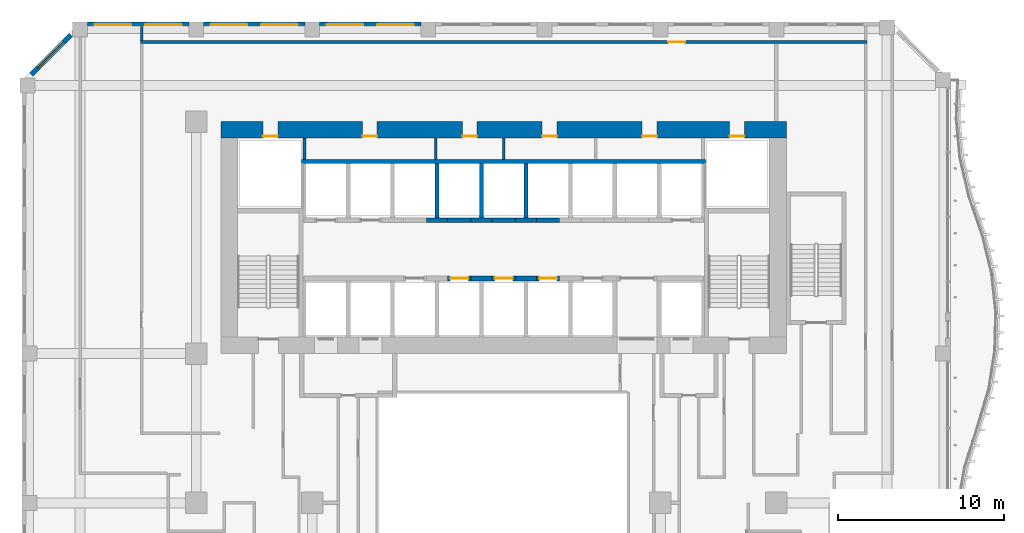
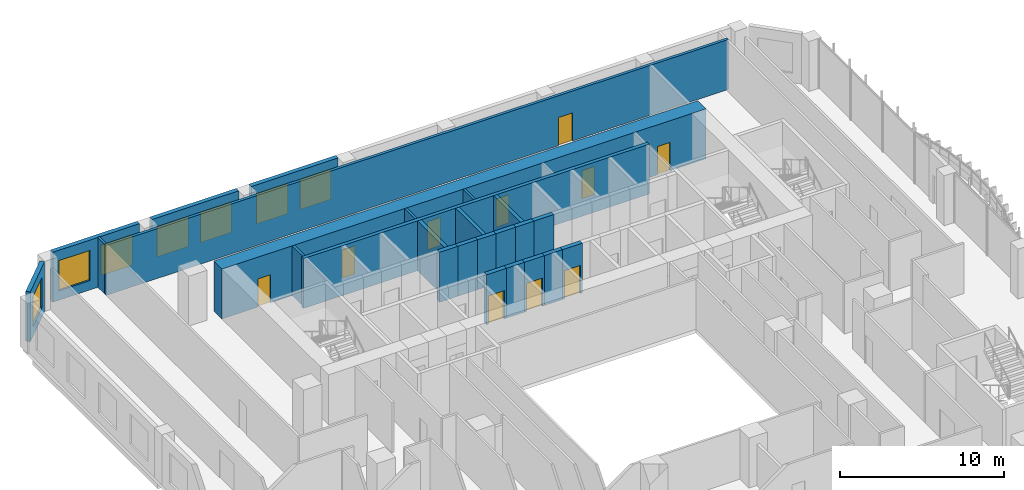
# One storey, part 15 of 27: 25 walls, 10 doors, 7 windows, 17 openings.
"""IFC4 building model written with IfcOpenShell, lengths in metres."""

from ifc_helpers import new_model, si_unit, direction, frame, frame_2d, origin, place, context, subcontext, project, spatial, rectangle, extrude, source, transform, mapped, material, layer, layer_set, type_object, element, fill, save


model = new_model("IFC4")

# Units and contexts
model_context = context("Model", 3, precision=1e-05, world=origin(), true_north=direction((0.0, 1.0)))
body_context = subcontext(model_context, "Body", "Model", "MODEL_VIEW")
ifc_project = project(units=[si_unit("LENGTHUNIT", "METRE"), si_unit("AREAUNIT", "SQUARE_METRE"), si_unit("VOLUMEUNIT", "CUBIC_METRE"), si_unit("PLANEANGLEUNIT", "RADIAN"), si_unit("MASSUNIT", "GRAM", prefix="KILO")], contexts=[model_context])

# Site, building, storey
site_placement = place(None, origin())
site = spatial("IfcSite", under=ifc_project, at=site_placement, CompositionType="ELEMENT")
building_placement = place(site_placement, origin())
building = spatial("IfcBuilding", under=site, at=building_placement, Name="Kilnfold Tower and Market Hall", CompositionType="ELEMENT")
storey_placement = place(building_placement, frame((0.0, 0.0, 43.0)))
storey = spatial("IfcBuildingStorey", under=building, at=storey_placement, Name="L09", CompositionType="ELEMENT", Elevation=43.0)

# Wall
ifc_material_1 = material(Name="Gypsum board on steel studs", Category="steel")
ifc_layer_1 = layer(ifc_material_1, 0.14990234375)
ifc_layer_set_1 = layer_set([ifc_layer_1], Name="Gypsum board on steel studs")
wall_type_1 = type_object("IfcWallType", Name="WALL CORRIDOR 150", PredefinedType="PARTITIONING", material=ifc_layer_set_1)
wall_1_placement = place(storey_placement, frame((-20.800048828125, 26.89111328125, 0.0), z_axis=(0.0, 0.0, 1.0), x_axis=(0.0, 1.0, 0.0)))
element("IfcWall", 1, at=wall_1_placement, inside=storey, type_object=wall_type_1, Name="Partition LY08.53", PredefinedType="PARTITIONING", context=body_context, shape_type="SweptSolid", body=[
    extrude(rectangle(XDim=0.85888671875, YDim=0.14990234375, at=frame_2d((0.429443359375, 0.0))), origin(), (0.0, 0.0, 1.0), 3.719970703125),
])

# Wall, opening, door
ifc_material_2 = material(Name="Gypsum board on steel studs", Category="steel")
ifc_layer_2 = layer(ifc_material_2, 0.199951171875)
ifc_layer_set_2 = layer_set([ifc_layer_2], Name="Gypsum board on steel studs")
wall_type_2 = type_object("IfcWallType", Name="WALL PARTY 200", PredefinedType="PARTITIONING", material=ifc_layer_set_2)
wall_2_placement = place(storey_placement, frame((-20.8740234375, 26.800048828125, 0.0), z_axis=(0.0, 0.0, 1.0), x_axis=(1.0, 0.0, 0.0)))
wall_2 = element("IfcWall", 2, at=wall_2_placement, inside=storey, type_object=wall_type_2, Name="Partition LY08.56", PredefinedType="PARTITIONING", context=body_context, shape_type="SweptSolid", body=[
    extrude(rectangle(XDim=43.84814453125, YDim=0.199951171875, at=frame_2d((21.924072265625, 0.0))), origin(), (0.0, 0.0, 1.0), 3.719970703125),
])
opening_1_placement = place(wall_2_placement, frame((31.863037109375, 0.0, 0.0)))
opening_1 = element("IfcOpeningElement", 3, at=opening_1_placement, cuts=wall_2, Name="Opening D1", PredefinedType="OPENING", context=body_context, shape_type="SweptSolid", body=[
    extrude(rectangle(XDim=1.0, YDim=2.10009765625, at=frame_2d((0.5, 1.050048828125))), frame((0.0, 0.10986328125, 0.0), z_axis=(0.0, -1.0, 0.0), x_axis=(1.0, 0.0, 0.0)), (0.0, 0.0, 1.0), 0.219970703125),
])
ifc_material_3 = material(Name="Timber veneer door leaf in steel frame", Category="steel")
door_type_1 = type_object("IfcDoorType", Name="DOOR ENTRY 1000 X2100", OperationType="NOTDEFINED", PredefinedType="DOOR", material=ifc_material_3)
door_1_placement = place(opening_1_placement, origin())
door_1 = element("IfcDoor", 4, at=door_1_placement, inside=storey, type_object=door_type_1, Name="Door D1", OperationType="SINGLE_SWING_RIGHT", OverallHeight=2.10009765625, OverallWidth=1.0, PredefinedType="DOOR", context=body_context, shape_type="SweptSolid", body=[
    extrude(rectangle(XDim=1.0, YDim=2.10009765625, at=frame_2d((0.5, 1.050048828125))), frame((0.0, 0.02490234375, 0.0), z_axis=(0.0, -1.0, 0.0), x_axis=(1.0, 0.0, 0.0)), (0.0, 0.0, 1.0), 0.050048828125),
])
fill(opening_1, door_1)

# Wall, openings, doors
ifc_material_4 = material(Name="Concrete C80", Category="concrete")
ifc_layer_3 = layer(ifc_material_4, 1.0)
ifc_layer_set_3 = layer_set([ifc_layer_3], Name="Concrete C80")
wall_type_3 = type_object("IfcWallType", Name="CORE WALL 1000 C80", PredefinedType="SHEAR", material=ifc_layer_set_3)
shared_shape_1 = source(origin(), body_context, "Body", "SweptSolid", [
    extrude(rectangle(XDim=34.10009765625, YDim=1.0, at=frame_2d((17.050048828125, 0.0))), origin(), (0.0, 0.0, 1.0), 3.719970703125),
])
wall_3_placement = place(storey_placement, frame((-16.0, 21.5, 0.0), z_axis=(0.0, 0.0, 1.0), x_axis=(1.0, 0.0, 0.0)))
wall_3 = element("IfcWall", 5, at=wall_3_placement, inside=storey, type_object=wall_type_3, Name="Core outer wall north", PredefinedType="SHEAR", context=body_context, shape_type="MappedRepresentation", body=[
    mapped(shared_shape_1, transform((0.0, 0.0, 0.0))),
])
opening_2_placement = place(wall_3_placement, frame((8.519775390625, 0.0, 0.0)))
opening_2 = element("IfcOpeningElement", 6, at=opening_2_placement, cuts=wall_3, Name="Opening KD1", PredefinedType="OPENING", context=body_context, shape_type="SweptSolid", body=[
    extrude(rectangle(XDim=0.89990234375, YDim=2.10009765625, at=frame_2d((0.449951171875, 1.050048828125))), frame((0.0, 0.510009765625, 0.0), z_axis=(0.0, -1.0, 0.0), x_axis=(1.0, 0.0, 0.0)), (0.0, 0.0, 1.0), 1.02001953125),
])
opening_3_placement = place(wall_3_placement, frame((14.5498046875, 0.0, 0.0)))
opening_3 = element("IfcOpeningElement", 7, at=opening_3_placement, cuts=wall_3, Name="Opening KD1", PredefinedType="OPENING", context=body_context, shape_type="SweptSolid", body=[
    extrude(rectangle(XDim=0.89990234375, YDim=2.10009765625, at=frame_2d((0.449951171875, 1.050048828125))), frame((0.0, 0.510009765625, 0.0), z_axis=(0.0, -1.0, 0.0), x_axis=(1.0, 0.0, 0.0)), (0.0, 0.0, 1.0), 1.02001953125),
])
opening_4_placement = place(wall_3_placement, frame((19.373779296875, 0.0, 0.0)))
opening_4 = element("IfcOpeningElement", 8, at=opening_4_placement, cuts=wall_3, Name="Opening KD1", PredefinedType="OPENING", context=body_context, shape_type="SweptSolid", body=[
    extrude(rectangle(XDim=0.89990234375, YDim=2.10009765625, at=frame_2d((0.449951171875, 1.050048828125))), frame((0.0, 0.510009765625, 0.0), z_axis=(0.0, -1.0, 0.0), x_axis=(1.0, 0.0, 0.0)), (0.0, 0.0, 1.0), 1.02001953125),
])
opening_5_placement = place(wall_3_placement, frame((25.40380859375, 0.0, 0.0)))
opening_5 = element("IfcOpeningElement", 9, at=opening_5_placement, cuts=wall_3, Name="Opening KD1", PredefinedType="OPENING", context=body_context, shape_type="SweptSolid", body=[
    extrude(rectangle(XDim=0.89990234375, YDim=2.10009765625, at=frame_2d((0.449951171875, 1.050048828125))), frame((0.0, 0.510009765625, 0.0), z_axis=(0.0, -1.0, 0.0), x_axis=(1.0, 0.0, 0.0)), (0.0, 0.0, 1.0), 1.02001953125),
])
opening_6_placement = place(wall_3_placement, frame((2.52490234375, 0.0, 0.0)))
opening_6 = element("IfcOpeningElement", 10, at=opening_6_placement, cuts=wall_3, Name="Opening KD1", PredefinedType="OPENING", context=body_context, shape_type="SweptSolid", body=[
    extrude(rectangle(XDim=0.89990234375, YDim=2.10009765625, at=frame_2d((0.449951171875, 1.050048828125))), frame((0.0, 0.510009765625, 0.0), z_axis=(0.0, -1.0, 0.0), x_axis=(1.0, 0.0, 0.0)), (0.0, 0.0, 1.0), 1.02001953125),
])
opening_7_placement = place(wall_3_placement, frame((30.675048828125, 0.0, 0.0)))
opening_7 = element("IfcOpeningElement", 11, at=opening_7_placement, cuts=wall_3, Name="Opening KD1", PredefinedType="OPENING", context=body_context, shape_type="SweptSolid", body=[
    extrude(rectangle(XDim=0.89990234375, YDim=2.10009765625, at=frame_2d((0.449951171875, 1.050048828125))), frame((0.0, 0.510009765625, 0.0), z_axis=(0.0, -1.0, 0.0), x_axis=(1.0, 0.0, 0.0)), (0.0, 0.0, 1.0), 1.02001953125),
])
ifc_material_5 = material(Name="Steel door set with fire-resisting leaf", Category="steel")
door_type_2 = type_object("IfcDoorType", Name="SERVICE DOOR 900X2100", OperationType="NOTDEFINED", PredefinedType="DOOR", material=ifc_material_5)
door_2_placement = place(opening_2_placement, origin())
door_2 = element("IfcDoor", 12, at=door_2_placement, inside=storey, type_object=door_type_2, Name="Core service door", OperationType="SINGLE_SWING_RIGHT", OverallHeight=2.10009765625, OverallWidth=0.89990234375, PredefinedType="DOOR", context=body_context, shape_type="SweptSolid", body=[
    extrude(rectangle(XDim=0.89990234375, YDim=2.10009765625, at=frame_2d((0.449951171875, 1.050048828125))), frame((0.0, -0.35498046875, 0.0), z_axis=(0.0, -1.0, 0.0), x_axis=(1.0, 0.0, 0.0)), (0.0, 0.0, 1.0), 0.050048828125),
])
fill(opening_2, door_2)
door_3_placement = place(opening_3_placement, origin())
door_3 = element("IfcDoor", 13, at=door_3_placement, inside=storey, type_object=door_type_2, Name="Core service door", OperationType="SINGLE_SWING_LEFT", OverallHeight=2.10009765625, OverallWidth=0.89990234375, PredefinedType="DOOR", context=body_context, shape_type="SweptSolid", body=[
    extrude(rectangle(XDim=0.89990234375, YDim=2.10009765625, at=frame_2d((0.449951171875, 1.050048828125))), frame((0.0, -0.35498046875, 0.0), z_axis=(0.0, -1.0, 0.0), x_axis=(1.0, 0.0, 0.0)), (0.0, 0.0, 1.0), 0.050048828125),
])
fill(opening_3, door_3)
door_4_placement = place(opening_4_placement, origin())
door_4 = element("IfcDoor", 14, at=door_4_placement, inside=storey, type_object=door_type_2, Name="Core service door", OperationType="SINGLE_SWING_RIGHT", OverallHeight=2.10009765625, OverallWidth=0.89990234375, PredefinedType="DOOR", context=body_context, shape_type="SweptSolid", body=[
    extrude(rectangle(XDim=0.89990234375, YDim=2.10009765625, at=frame_2d((0.449951171875, 1.050048828125))), frame((0.0, -0.35498046875, 0.0), z_axis=(0.0, -1.0, 0.0), x_axis=(1.0, 0.0, 0.0)), (0.0, 0.0, 1.0), 0.050048828125),
])
fill(opening_4, door_4)
door_5_placement = place(opening_5_placement, origin())
door_5 = element("IfcDoor", 15, at=door_5_placement, inside=storey, type_object=door_type_2, Name="Core service door", OperationType="SINGLE_SWING_LEFT", OverallHeight=2.10009765625, OverallWidth=0.89990234375, PredefinedType="DOOR", context=body_context, shape_type="SweptSolid", body=[
    extrude(rectangle(XDim=0.89990234375, YDim=2.10009765625, at=frame_2d((0.449951171875, 1.050048828125))), frame((0.0, -0.35498046875, 0.0), z_axis=(0.0, -1.0, 0.0), x_axis=(1.0, 0.0, 0.0)), (0.0, 0.0, 1.0), 0.050048828125),
])
fill(opening_5, door_5)
door_6_placement = place(opening_6_placement, origin())
door_6 = element("IfcDoor", 16, at=door_6_placement, inside=storey, type_object=door_type_2, Name="Electrical riser access door", OperationType="SINGLE_SWING_RIGHT", OverallHeight=2.10009765625, OverallWidth=0.89990234375, PredefinedType="DOOR", context=body_context, shape_type="SweptSolid", body=[
    extrude(rectangle(XDim=0.89990234375, YDim=2.10009765625, at=frame_2d((0.449951171875, 1.050048828125))), frame((0.0, -0.35498046875, 0.0), z_axis=(0.0, -1.0, 0.0), x_axis=(1.0, 0.0, 0.0)), (0.0, 0.0, 1.0), 0.050048828125),
])
fill(opening_6, door_6)
door_7_placement = place(opening_7_placement, origin())
door_7 = element("IfcDoor", 17, at=door_7_placement, inside=storey, type_object=door_type_2, Name="Mechanical riser access door", OperationType="SINGLE_SWING_LEFT", OverallHeight=2.10009765625, OverallWidth=0.89990234375, PredefinedType="DOOR", context=body_context, shape_type="SweptSolid", body=[
    extrude(rectangle(XDim=0.89990234375, YDim=2.10009765625, at=frame_2d((0.449951171875, 1.050048828125))), frame((0.0, -0.35498046875, 0.0), z_axis=(0.0, -1.0, 0.0), x_axis=(1.0, 0.0, 0.0)), (0.0, 0.0, 1.0), 0.050048828125),
])
fill(opening_7, door_7)

# Walls
ifc_material_6 = material(Name="Concrete C80", Category="concrete")
ifc_layer_4 = layer(ifc_material_6, 0.300048828125)
ifc_layer_set_4 = layer_set([ifc_layer_4], Name="Concrete C80")
wall_type_4 = type_object("IfcWallType", Name="CORE WALL 300 C80", PredefinedType="SHEAR", material=ifc_layer_set_4)
shared_shape_2 = source(origin(), body_context, "Body", "SweptSolid", [
    extrude(rectangle(XDim=1.280029296875, YDim=0.300048828125, at=frame_2d((0.64013671875, 0.0))), origin(), (0.0, 0.0, 1.0), 3.719970703125),
])
for number, where, z_axis, x_axis, name in (
    (18, (-0.929931640625, 12.550048828125, 0.0), (0.0, 0.0, 1.0), (1.0, 0.0, 0.0), "Core spine wall"),
    (19, (1.75, 12.550048828125, 0.0), (0.0, 0.0, 1.0), (1.0, 0.0, 0.0), "Core spine wall"),
    (20, (-3.610107421875, 16.050048828125, 0.0), (0.0, 0.0, 1.0), (1.0, 0.0, 0.0), "Core spine wall"),
    (21, (-0.929931640625, 16.050048828125, 0.0), (0.0, 0.0, 1.0), (1.0, 0.0, 0.0), "Core spine wall"),
    (22, (1.75, 16.050048828125, 0.0), (0.0, 0.0, 1.0), (1.0, 0.0, 0.0), "Core spine wall"),
):
    element("IfcWall", number, at=place(storey_placement, frame(where, z_axis=z_axis, x_axis=x_axis)), inside=storey, type_object=wall_type_4, Name=name, PredefinedType="SHEAR", context=body_context, shape_type="MappedRepresentation", body=[
        mapped(shared_shape_2, transform((0.0, 0.0, 0.0))),
    ])

# Wall, opening, window
ifc_material_7 = material(Name="Precast concrete C50/60", Category="concrete")
ifc_layer_5 = layer(ifc_material_7, 0.300048828125)
ifc_layer_set_5 = layer_set([ifc_layer_5], Name="Precast concrete C50/60")
wall_type_5 = type_object("IfcWallType", Name="PRECAST WALL 300", PredefinedType="SOLIDWALL", material=ifc_layer_set_5)
shared_shape_3 = source(origin(), body_context, "Body", "SweptSolid", [
    extrude(rectangle(XDim=3.35888671875, YDim=0.300048828125, at=frame_2d((1.679443359375, 0.0))), origin(), (0.0, 0.0, 1.0), 3.719970703125),
])
wall_4_placement = place(storey_placement, frame((-25.06884765625, 27.218994140625, 0.0), z_axis=(0.0, 0.0, 1.0), x_axis=(-0.707143122278, -0.707070438228, 0.0)))
wall_4 = element("IfcWall", 23, at=wall_4_placement, inside=storey, type_object=wall_type_5, Name="External wall L09 NW", PredefinedType="SOLIDWALL", context=body_context, shape_type="MappedRepresentation", body=[
    mapped(shared_shape_3, transform((0.0, 0.0, 0.0))),
])
opening_8_placement = place(wall_4_placement, frame((0.579345703125, 0.0, 0.699951171875)))
opening_8 = element("IfcOpeningElement", 24, at=opening_8_placement, cuts=wall_4, Name="Opening W1", PredefinedType="OPENING", context=body_context, shape_type="SweptSolid", body=[
    extrude(rectangle(XDim=2.199951171875, YDim=2.25, at=frame_2d((1.10009765625, 1.125))), frame((0.0, 0.16015625, 0.0), z_axis=(0.0, -1.0, 0.0), x_axis=(1.0, 0.0, 0.0)), (0.0, 0.0, 1.0), 0.320068359375),
])
ifc_material_8 = material(Name="Aluminium frame and double glazing", Category="aluminium")
window_type = type_object("IfcWindowType", Name="WINDOW W1 2200X2250", PartitioningType="SINGLE_PANEL", PredefinedType="WINDOW", material=ifc_material_8)
window_1_placement = place(opening_8_placement, origin())
window_1 = element("IfcWindow", 25, at=window_1_placement, inside=storey, type_object=window_type, Name="Window W1 L09 NW-1", OverallHeight=2.25, OverallWidth=2.199951171875, PartitioningType="SINGLE_PANEL", PredefinedType="WINDOW", context=body_context, shape_type="SweptSolid", body=[
    extrude(rectangle(XDim=2.199951171875, YDim=2.25, at=frame_2d((1.10009765625, 1.125))), frame((0.0, 0.030029296875, 0.0), z_axis=(0.0, -1.0, 0.0), x_axis=(1.0, 0.0, 0.0)), (0.0, 0.0, 1.0), 0.06005859375),
])
fill(opening_8, window_1)

# Wall, openings, windows
shared_shape_4 = source(origin(), body_context, "Body", "SweptSolid", [
    extrude(rectangle(XDim=6.10009765625, YDim=0.300048828125, at=frame_2d((3.050048828125, 0.0))), origin(), (0.0, 0.0, 1.0), 3.719970703125),
])
wall_5_placement = place(storey_placement, frame((-3.949951171875, 27.85009765625, 0.0), z_axis=(0.0, 0.0, 1.0), x_axis=(-1.0, 0.0, 0.0)))
wall_5 = element("IfcWall", 26, at=wall_5_placement, inside=storey, type_object=wall_type_5, Name="External wall L09 N", PredefinedType="SOLIDWALL", context=body_context, shape_type="MappedRepresentation", body=[
    mapped(shared_shape_4, transform((0.0, 0.0, 0.0))),
])
opening_9_placement = place(wall_5_placement, frame((0.425048828125, 0.0, 0.699951171875)))
opening_9 = element("IfcOpeningElement", 27, at=opening_9_placement, cuts=wall_5, Name="Opening W1", PredefinedType="OPENING", context=body_context, shape_type="SweptSolid", body=[
    extrude(rectangle(XDim=2.199951171875, YDim=2.25, at=frame_2d((1.10009765625, 1.125))), frame((0.0, 0.16015625, 0.0), z_axis=(0.0, -1.0, 0.0), x_axis=(1.0, 0.0, 0.0)), (0.0, 0.0, 1.0), 0.320068359375),
])
opening_10_placement = place(wall_5_placement, frame((3.47509765625, 0.0, 0.699951171875)))
opening_10 = element("IfcOpeningElement", 28, at=opening_10_placement, cuts=wall_5, Name="Opening W1", PredefinedType="OPENING", context=body_context, shape_type="SweptSolid", body=[
    extrude(rectangle(XDim=2.199951171875, YDim=2.25, at=frame_2d((1.10009765625, 1.125))), frame((0.0, 0.16015625, 0.0), z_axis=(0.0, -1.0, 0.0), x_axis=(1.0, 0.0, 0.0)), (0.0, 0.0, 1.0), 0.320068359375),
])
window_2_placement = place(opening_9_placement, origin())
window_2 = element("IfcWindow", 29, at=window_2_placement, inside=storey, type_object=window_type, Name="Window W1 L09 N-1", OverallHeight=2.25, OverallWidth=2.199951171875, PartitioningType="SINGLE_PANEL", PredefinedType="WINDOW", context=body_context, shape_type="SweptSolid", body=[
    extrude(rectangle(XDim=2.199951171875, YDim=2.25, at=frame_2d((1.10009765625, 1.125))), frame((0.0, 0.030029296875, 0.0), z_axis=(0.0, -1.0, 0.0), x_axis=(1.0, 0.0, 0.0)), (0.0, 0.0, 1.0), 0.06005859375),
])
fill(opening_9, window_2)
window_3_placement = place(opening_10_placement, origin())
window_3 = element("IfcWindow", 30, at=window_3_placement, inside=storey, type_object=window_type, Name="Window W1 L09 N-2", OverallHeight=2.25, OverallWidth=2.199951171875, PartitioningType="SINGLE_PANEL", PredefinedType="WINDOW", context=body_context, shape_type="SweptSolid", body=[
    extrude(rectangle(XDim=2.199951171875, YDim=2.25, at=frame_2d((1.10009765625, 1.125))), frame((0.0, 0.030029296875, 0.0), z_axis=(0.0, -1.0, 0.0), x_axis=(1.0, 0.0, 0.0)), (0.0, 0.0, 1.0), 0.06005859375),
])
fill(opening_10, window_3)

wall_6_placement = place(storey_placement, frame((-10.949951171875, 27.85009765625, 0.0), z_axis=(0.0, 0.0, 1.0), x_axis=(-1.0, 0.0, 0.0)))
wall_6 = element("IfcWall", 31, at=wall_6_placement, inside=storey, type_object=wall_type_5, Name="External wall L09 N", PredefinedType="SOLIDWALL", context=body_context, shape_type="MappedRepresentation", body=[
    mapped(shared_shape_4, transform((0.0, 0.0, 0.0))),
])
opening_11_placement = place(wall_6_placement, frame((0.425048828125, 0.0, 0.699951171875)))
opening_11 = element("IfcOpeningElement", 32, at=opening_11_placement, cuts=wall_6, Name="Opening W1", PredefinedType="OPENING", context=body_context, shape_type="SweptSolid", body=[
    extrude(rectangle(XDim=2.199951171875, YDim=2.25, at=frame_2d((1.10009765625, 1.125))), frame((0.0, 0.16015625, 0.0), z_axis=(0.0, -1.0, 0.0), x_axis=(1.0, 0.0, 0.0)), (0.0, 0.0, 1.0), 0.320068359375),
])
opening_12_placement = place(wall_6_placement, frame((3.47509765625, 0.0, 0.699951171875)))
opening_12 = element("IfcOpeningElement", 33, at=opening_12_placement, cuts=wall_6, Name="Opening W1", PredefinedType="OPENING", context=body_context, shape_type="SweptSolid", body=[
    extrude(rectangle(XDim=2.199951171875, YDim=2.25, at=frame_2d((1.10009765625, 1.125))), frame((0.0, 0.16015625, 0.0), z_axis=(0.0, -1.0, 0.0), x_axis=(1.0, 0.0, 0.0)), (0.0, 0.0, 1.0), 0.320068359375),
])
window_4_placement = place(opening_11_placement, origin())
window_4 = element("IfcWindow", 34, at=window_4_placement, inside=storey, type_object=window_type, Name="Window W1 L09 N-1", OverallHeight=2.25, OverallWidth=2.199951171875, PartitioningType="SINGLE_PANEL", PredefinedType="WINDOW", context=body_context, shape_type="SweptSolid", body=[
    extrude(rectangle(XDim=2.199951171875, YDim=2.25, at=frame_2d((1.10009765625, 1.125))), frame((0.0, 0.030029296875, 0.0), z_axis=(0.0, -1.0, 0.0), x_axis=(1.0, 0.0, 0.0)), (0.0, 0.0, 1.0), 0.06005859375),
])
fill(opening_11, window_4)
window_5_placement = place(opening_12_placement, origin())
window_5 = element("IfcWindow", 35, at=window_5_placement, inside=storey, type_object=window_type, Name="Window W1 L09 N-2", OverallHeight=2.25, OverallWidth=2.199951171875, PartitioningType="SINGLE_PANEL", PredefinedType="WINDOW", context=body_context, shape_type="SweptSolid", body=[
    extrude(rectangle(XDim=2.199951171875, YDim=2.25, at=frame_2d((1.10009765625, 1.125))), frame((0.0, 0.030029296875, 0.0), z_axis=(0.0, -1.0, 0.0), x_axis=(1.0, 0.0, 0.0)), (0.0, 0.0, 1.0), 0.06005859375),
])
fill(opening_12, window_5)

wall_7_placement = place(storey_placement, frame((-17.949951171875, 27.85009765625, 0.0), z_axis=(0.0, 0.0, 1.0), x_axis=(-1.0, 0.0, 0.0)))
wall_7 = element("IfcWall", 36, at=wall_7_placement, inside=storey, type_object=wall_type_5, Name="External wall L09 N", PredefinedType="SOLIDWALL", context=body_context, shape_type="MappedRepresentation", body=[
    mapped(shared_shape_4, transform((0.0, 0.0, 0.0))),
])
opening_13_placement = place(wall_7_placement, frame((0.425048828125, 0.0, 0.699951171875)))
opening_13 = element("IfcOpeningElement", 37, at=opening_13_placement, cuts=wall_7, Name="Opening W1", PredefinedType="OPENING", context=body_context, shape_type="SweptSolid", body=[
    extrude(rectangle(XDim=2.199951171875, YDim=2.25, at=frame_2d((1.10009765625, 1.125))), frame((0.0, 0.16015625, 0.0), z_axis=(0.0, -1.0, 0.0), x_axis=(1.0, 0.0, 0.0)), (0.0, 0.0, 1.0), 0.320068359375),
])
opening_14_placement = place(wall_7_placement, frame((3.47509765625, 0.0, 0.699951171875)))
opening_14 = element("IfcOpeningElement", 38, at=opening_14_placement, cuts=wall_7, Name="Opening W1", PredefinedType="OPENING", context=body_context, shape_type="SweptSolid", body=[
    extrude(rectangle(XDim=2.199951171875, YDim=2.25, at=frame_2d((1.10009765625, 1.125))), frame((0.0, 0.16015625, 0.0), z_axis=(0.0, -1.0, 0.0), x_axis=(1.0, 0.0, 0.0)), (0.0, 0.0, 1.0), 0.320068359375),
])
window_6_placement = place(opening_13_placement, origin())
window_6 = element("IfcWindow", 39, at=window_6_placement, inside=storey, type_object=window_type, Name="Window W1 L09 N-1", OverallHeight=2.25, OverallWidth=2.199951171875, PartitioningType="SINGLE_PANEL", PredefinedType="WINDOW", context=body_context, shape_type="SweptSolid", body=[
    extrude(rectangle(XDim=2.199951171875, YDim=2.25, at=frame_2d((1.10009765625, 1.125))), frame((0.0, 0.030029296875, 0.0), z_axis=(0.0, -1.0, 0.0), x_axis=(1.0, 0.0, 0.0)), (0.0, 0.0, 1.0), 0.06005859375),
])
fill(opening_13, window_6)
window_7_placement = place(opening_14_placement, origin())
window_7 = element("IfcWindow", 40, at=window_7_placement, inside=storey, type_object=window_type, Name="Window W1 L09 N-2", OverallHeight=2.25, OverallWidth=2.199951171875, PartitioningType="SINGLE_PANEL", PredefinedType="WINDOW", context=body_context, shape_type="SweptSolid", body=[
    extrude(rectangle(XDim=2.199951171875, YDim=2.25, at=frame_2d((1.10009765625, 1.125))), frame((0.0, 0.030029296875, 0.0), z_axis=(0.0, -1.0, 0.0), x_axis=(1.0, 0.0, 0.0)), (0.0, 0.0, 1.0), 0.06005859375),
])
fill(opening_14, window_7)

# Wall, opening, door
ifc_material_9 = material(Name="Gypsum shaft wall system")
ifc_layer_6 = layer(ifc_material_9, 0.300048828125)
ifc_layer_set_6 = layer_set([ifc_layer_6], Name="Gypsum shaft wall system")
wall_type_6 = type_object("IfcWallType", Name="SHAFT WALL 300", PredefinedType="PARTITIONING", material=ifc_layer_set_6)
shared_shape_5 = source(origin(), body_context, "Body", "SweptSolid", [
    extrude(rectangle(XDim=1.39990234375, YDim=0.300048828125, at=frame_2d((0.699951171875, 0.0))), origin(), (0.0, 0.0, 1.0), 3.719970703125),
])
wall_8_placement = place(storey_placement, frame((0.35009765625, 12.550048828125, 0.0), z_axis=(0.0, 0.0, 1.0), x_axis=(1.0, 0.0, 0.0)))
wall_8 = element("IfcWall", 41, at=wall_8_placement, inside=storey, type_object=wall_type_6, Name="Lift shaft front wall", PredefinedType="PARTITIONING", context=body_context, shape_type="MappedRepresentation", body=[
    mapped(shared_shape_5, transform((0.0, 0.0, 0.0))),
])
opening_15_placement = place(wall_8_placement, frame((0.14990234375, 0.0, 0.0)))
opening_15 = element("IfcOpeningElement", 42, at=opening_15_placement, cuts=wall_8, Name="Opening LD2", PredefinedType="OPENING", context=body_context, shape_type="SweptSolid", body=[
    extrude(rectangle(XDim=1.10009765625, YDim=2.10009765625, at=frame_2d((0.550048828125, 1.050048828125))), frame((0.0, 0.16015625, 0.0), z_axis=(0.0, -1.0, 0.0), x_axis=(1.0, 0.0, 0.0)), (0.0, 0.0, 1.0), 0.320068359375),
])
ifc_material_10 = material(Name="Steel door set with fire-resisting leaf", Category="steel")
door_type_3 = type_object("IfcDoorType", Name="LANDING DOOR 1100X2100", OperationType="NOTDEFINED", PredefinedType="DOOR", material=ifc_material_10)
door_8_placement = place(opening_15_placement, origin())
door_8 = element("IfcDoor", 43, at=door_8_placement, inside=storey, type_object=door_type_3, Name="Landing door LR3", OperationType="DOUBLE_DOOR_SLIDING", OverallHeight=2.10009765625, OverallWidth=1.10009765625, PredefinedType="DOOR", context=body_context, shape_type="SweptSolid", body=[
    extrude(rectangle(XDim=1.10009765625, YDim=2.10009765625, at=frame_2d((0.550048828125, 1.050048828125))), frame((0.0, 0.02490234375, 0.0), z_axis=(0.0, -1.0, 0.0), x_axis=(1.0, 0.0, 0.0)), (0.0, 0.0, 1.0), 0.050048828125),
])
fill(opening_15, door_8)

wall_9_placement = place(storey_placement, frame((3.030029296875, 12.550048828125, 0.0), z_axis=(0.0, 0.0, 1.0), x_axis=(1.0, 0.0, 0.0)))
wall_9 = element("IfcWall", 44, at=wall_9_placement, inside=storey, type_object=wall_type_6, Name="Lift shaft front wall", PredefinedType="PARTITIONING", context=body_context, shape_type="MappedRepresentation", body=[
    mapped(shared_shape_5, transform((0.0, 0.0, 0.0))),
])
opening_16_placement = place(wall_9_placement, frame((0.14990234375, 0.0, 0.0)))
opening_16 = element("IfcOpeningElement", 45, at=opening_16_placement, cuts=wall_9, Name="Opening LD2", PredefinedType="OPENING", context=body_context, shape_type="SweptSolid", body=[
    extrude(rectangle(XDim=1.10009765625, YDim=2.10009765625, at=frame_2d((0.550048828125, 1.050048828125))), frame((0.0, 0.16015625, 0.0), z_axis=(0.0, -1.0, 0.0), x_axis=(1.0, 0.0, 0.0)), (0.0, 0.0, 1.0), 0.320068359375),
])
door_9_placement = place(opening_16_placement, origin())
door_9 = element("IfcDoor", 46, at=door_9_placement, inside=storey, type_object=door_type_3, Name="Landing door LR4", OperationType="DOUBLE_DOOR_SLIDING", OverallHeight=2.10009765625, OverallWidth=1.10009765625, PredefinedType="DOOR", context=body_context, shape_type="SweptSolid", body=[
    extrude(rectangle(XDim=1.10009765625, YDim=2.10009765625, at=frame_2d((0.550048828125, 1.050048828125))), frame((0.0, 0.02490234375, 0.0), z_axis=(0.0, -1.0, 0.0), x_axis=(1.0, 0.0, 0.0)), (0.0, 0.0, 1.0), 0.050048828125),
])
fill(opening_16, door_9)

# Walls
for number, where, z_axis, x_axis, name in (
    (47, (0.35009765625, 16.050048828125, 0.0), (0.0, 0.0, 1.0), (1.0, 0.0, 0.0), "Lift shaft front wall"),
    (48, (3.030029296875, 16.050048828125, 0.0), (0.0, 0.0, 1.0), (1.0, 0.0, 0.0), "Lift shaft front wall"),
):
    element("IfcWall", number, at=place(storey_placement, frame(where, z_axis=z_axis, x_axis=x_axis)), inside=storey, type_object=wall_type_6, Name=name, PredefinedType="PARTITIONING", context=body_context, shape_type="MappedRepresentation", body=[
        mapped(shared_shape_5, transform((0.0, 0.0, 0.0))),
    ])

# Wall, opening, door
shared_shape_6 = source(origin(), body_context, "Body", "SweptSolid", [
    extrude(rectangle(XDim=1.400146484375, YDim=0.300048828125, at=frame_2d((0.7001953125, 0.0))), origin(), (0.0, 0.0, 1.0), 3.719970703125),
])
wall_10_placement = place(storey_placement, frame((-2.330078125, 12.550048828125, 0.0), z_axis=(0.0, 0.0, 1.0), x_axis=(1.0, 0.0, 0.0)))
wall_10 = element("IfcWall", 49, at=wall_10_placement, inside=storey, type_object=wall_type_6, Name="Lift shaft front wall", PredefinedType="PARTITIONING", context=body_context, shape_type="MappedRepresentation", body=[
    mapped(shared_shape_6, transform((0.0, 0.0, 0.0))),
])
opening_17_placement = place(wall_10_placement, frame((0.14990234375, 0.0, 0.0)))
opening_17 = element("IfcOpeningElement", 50, at=opening_17_placement, cuts=wall_10, Name="Opening LD2", PredefinedType="OPENING", context=body_context, shape_type="SweptSolid", body=[
    extrude(rectangle(XDim=1.10009765625, YDim=2.10009765625, at=frame_2d((0.550048828125, 1.050048828125))), frame((0.0, 0.16015625, 0.0), z_axis=(0.0, -1.0, 0.0), x_axis=(1.0, 0.0, 0.0)), (0.0, 0.0, 1.0), 0.320068359375),
])
door_10_placement = place(opening_17_placement, origin())
door_10 = element("IfcDoor", 51, at=door_10_placement, inside=storey, type_object=door_type_3, Name="Landing door LR2", OperationType="DOUBLE_DOOR_SLIDING", OverallHeight=2.10009765625, OverallWidth=1.10009765625, PredefinedType="DOOR", context=body_context, shape_type="SweptSolid", body=[
    extrude(rectangle(XDim=1.10009765625, YDim=2.10009765625, at=frame_2d((0.550048828125, 1.050048828125))), frame((0.0, 0.02490234375, 0.0), z_axis=(0.0, -1.0, 0.0), x_axis=(1.0, 0.0, 0.0)), (0.0, 0.0, 1.0), 0.050048828125),
])
fill(opening_17, door_10)

# Walls
wall_11_placement = place(storey_placement, frame((-2.330078125, 16.050048828125, 0.0), z_axis=(0.0, 0.0, 1.0), x_axis=(1.0, 0.0, 0.0)))
element("IfcWall", 52, at=wall_11_placement, inside=storey, type_object=wall_type_6, Name="Lift shaft front wall", PredefinedType="PARTITIONING", context=body_context, shape_type="MappedRepresentation", body=[
    mapped(shared_shape_6, transform((0.0, 0.0, 0.0))),
])
ifc_material_11 = material(Name="Gypsum shaft wall system")
ifc_layer_7 = layer(ifc_material_11, 0.25)
ifc_layer_set_7 = layer_set([ifc_layer_7], Name="Gypsum shaft wall system")
wall_type_7 = type_object("IfcWallType", Name="SHAFT WALL 250", PredefinedType="PARTITIONING", material=ifc_layer_set_7)
shared_shape_7 = source(origin(), body_context, "Body", "SweptSolid", [
    extrude(rectangle(XDim=24.3701171875, YDim=0.25, at=frame_2d((12.18505859375, 0.0))), origin(), (0.0, 0.0, 1.0), 3.719970703125),
])
wall_12_placement = place(storey_placement, frame((-11.135009765625, 19.60009765625, 0.0), z_axis=(0.0, 0.0, 1.0), x_axis=(1.0, 0.0, 0.0)))
element("IfcWall", 53, at=wall_12_placement, inside=storey, type_object=wall_type_7, Name="Lift shaft wall", PredefinedType="PARTITIONING", context=body_context, shape_type="MappedRepresentation", body=[
    mapped(shared_shape_7, transform((0.0, 0.0, 0.0))),
])
ifc_material_12 = material(Name="Gypsum shaft wall system")
ifc_layer_8 = layer(ifc_material_12, 0.1650390625)
ifc_layer_set_8 = layer_set([ifc_layer_8], Name="Gypsum shaft wall system")
wall_type_8 = type_object("IfcWallType", Name="SHAFT WALL 165", PredefinedType="PARTITIONING", material=ifc_layer_set_8)
shared_shape_8 = source(origin(), body_context, "Body", "SweptSolid", [
    extrude(rectangle(XDim=1.27490234375, YDim=0.1650390625, at=frame_2d((0.637451171875, 0.0))), origin(), (0.0, 0.0, 1.0), 3.719970703125),
])
wall_13_placement = place(storey_placement, frame((-10.967529296875, 19.72509765625, 0.0), z_axis=(0.0, 0.0, 1.0), x_axis=(0.0, 1.0, 0.0)))
element("IfcWall", 54, at=wall_13_placement, inside=storey, type_object=wall_type_8, Name="Lift shaft wall", PredefinedType="PARTITIONING", context=body_context, shape_type="MappedRepresentation", body=[
    mapped(shared_shape_8, transform((0.0, 0.0, 0.0))),
])
shared_shape_9 = source(origin(), body_context, "Body", "SweptSolid", [
    extrude(rectangle(XDim=3.275146484375, YDim=0.25, at=frame_2d((1.6376953125, 0.0))), origin(), (0.0, 0.0, 1.0), 3.719970703125),
])
for number, where, z_axis, x_axis, name in (
    (55, (2.389892578125, 16.199951171875, 0.0), (0.0, 0.0, 1.0), (0.0, 1.0, 0.0), "Lift shaft wall"),
    (56, (-0.2900390625, 16.199951171875, 0.0), (0.0, 0.0, 1.0), (0.0, 1.0, 0.0), "Lift shaft wall"),
    (57, (-2.969970703125, 16.199951171875, 0.0), (0.0, 0.0, 1.0), (0.0, 1.0, 0.0), "Lift shaft wall"),
):
    element("IfcWall", number, at=place(storey_placement, frame(where, z_axis=z_axis, x_axis=x_axis)), inside=storey, type_object=wall_type_7, Name=name, PredefinedType="PARTITIONING", context=body_context, shape_type="MappedRepresentation", body=[
        mapped(shared_shape_9, transform((0.0, 0.0, 0.0))),
    ])
ifc_material_13 = material(Name="Gypsum shaft wall system")
ifc_layer_9 = layer(ifc_material_13, 0.14990234375)
ifc_layer_set_9 = layer_set([ifc_layer_9], Name="Gypsum shaft wall system")
wall_type_9 = type_object("IfcWallType", Name="ROOM WALL 150", PredefinedType="PARTITIONING", material=ifc_layer_set_9)
shared_shape_10 = source(origin(), body_context, "Body", "SweptSolid", [
    extrude(rectangle(XDim=1.27490234375, YDim=0.14990234375, at=frame_2d((0.637451171875, 0.0))), origin(), (0.0, 0.0, 1.0), 3.719970703125),
])
for number, where, z_axis, x_axis, name in (
    (58, (-3.05029296875, 19.72509765625, 0.0), (0.0, 0.0, 1.0), (0.0, 1.0, 0.0), "Core room wall"),
    (59, (1.050048828125, 19.72509765625, 0.0), (0.0, 0.0, 1.0), (0.0, 1.0, 0.0), "Core room wall"),
):
    element("IfcWall", number, at=place(storey_placement, frame(where, z_axis=z_axis, x_axis=x_axis)), inside=storey, type_object=wall_type_9, Name=name, PredefinedType="PARTITIONING", context=body_context, shape_type="MappedRepresentation", body=[
        mapped(shared_shape_10, transform((0.0, 0.0, 0.0))),
    ])

save(model, "model.ifc")
